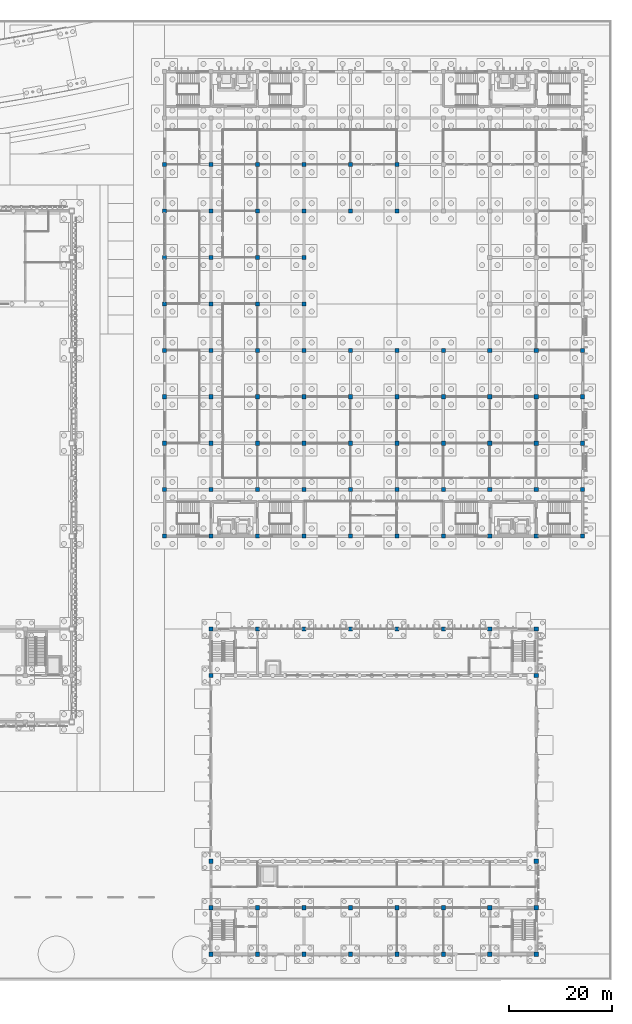
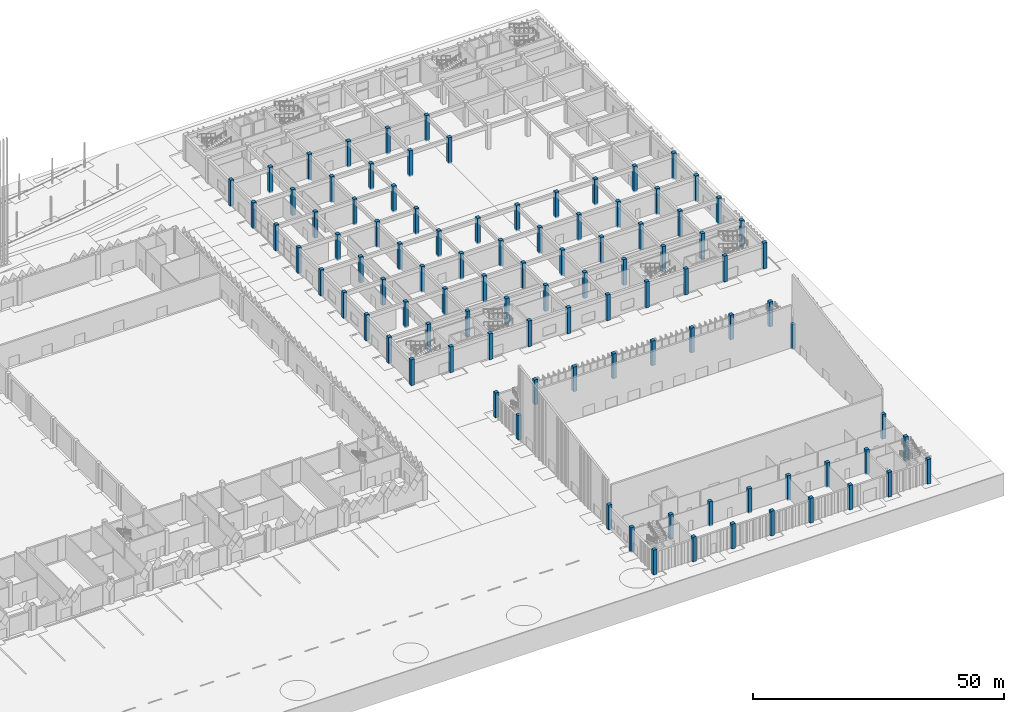
# One storey, part 32 of 198: 98 columns.
"""IFC4 building model written with IfcOpenShell, lengths in metres."""

from ifc_helpers import new_model, si_unit, direction, frame, origin, origin_2d, place, context, subcontext, project, spatial, rectangle, extrude, material, material_profile, profile_set, type_object, element, save


model = new_model("IFC4")

# Units and contexts
model_context = context("Model", 3, precision=1e-05, world=origin(), true_north=direction((0.0, 1.0)))
body_context = subcontext(model_context, "Body", "Model", "MODEL_VIEW")
ifc_project = project(units=[si_unit("LENGTHUNIT", "METRE"), si_unit("AREAUNIT", "SQUARE_METRE"), si_unit("VOLUMEUNIT", "CUBIC_METRE"), si_unit("PLANEANGLEUNIT", "RADIAN"), si_unit("MASSUNIT", "GRAM", prefix="KILO")], contexts=[model_context])

# Site, building, storey
site_placement = place(None, origin())
site = spatial("IfcSite", under=ifc_project, at=site_placement, CompositionType="ELEMENT")
building_placement = place(site_placement, origin())
building = spatial("IfcBuilding", under=site, at=building_placement, Name="Opaline Strait Convention Centre", CompositionType="ELEMENT")
storey_placement = place(building_placement, origin())
storey = spatial("IfcBuildingStorey", under=building, at=storey_placement, Name="L00", CompositionType="ELEMENT", Elevation=0.0)

# Columns
ifc_material = material(Name="Concrete C40", Category="concrete")
ifc_material_profile = material_profile(ifc_material, rectangle(XDim=0.800048828125, YDim=0.800048828125, at=origin_2d()), Name="RC 800x800")
ifc_profile_set = profile_set([ifc_material_profile], Name="Concrete C40")
column_type = type_object("IfcColumnType", Name="RC column 800x800 C40", PredefinedType="COLUMN", material=ifc_profile_set)
for number, where, z_axis, x_axis, name in (
    (1, (288.0, 9.0, -0.300048828125), (0.0, 0.0, 1.0), (1.0, 0.0, 0.0), "XC2 L00 at 33/B"),
    (2, (297.0, 9.0, -0.300048828125), (0.0, 0.0, 1.0), (1.0, 0.0, 0.0), "XC2 L00 at 34/B"),
    (3, (306.0, 9.0, -0.300048828125), (0.0, 0.0, 1.0), (1.0, 0.0, 0.0), "XC2 L00 at 35/B"),
    (4, (315.0, 9.0, -0.300048828125), (0.0, 0.0, 1.0), (1.0, 0.0, 0.0), "XC2 L00 at 36/B"),
    (5, (324.0, 9.0, -0.300048828125), (0.0, 0.0, 1.0), (1.0, 0.0, 0.0), "XC2 L00 at 37/B"),
    (6, (333.0, 9.0, -0.300048828125), (0.0, 0.0, 1.0), (1.0, 0.0, 0.0), "XC2 L00 at 38/B"),
    (7, (342.0, 9.0, -0.300048828125), (0.0, 0.0, 1.0), (1.0, 0.0, 0.0), "XC2 L00 at 39/B"),
    (8, (351.0, 9.0, -0.300048828125), (0.0, 0.0, 1.0), (1.0, 0.0, 0.0), "XC2 L00 at 40/B"),
    (9, (288.0, 18.0, -0.300048828125), (0.0, 0.0, 1.0), (1.0, 0.0, 0.0), "XC2 L00 at 33/C"),
    (10, (297.0, 18.0, -0.300048828125), (0.0, 0.0, 1.0), (1.0, 0.0, 0.0), "XC2 L00 at 34/C"),
    (11, (306.0, 18.0, -0.300048828125), (0.0, 0.0, 1.0), (1.0, 0.0, 0.0), "XC2 L00 at 35/C"),
    (12, (315.0, 18.0, -0.300048828125), (0.0, 0.0, 1.0), (1.0, 0.0, 0.0), "XC2 L00 at 36/C"),
    (13, (324.0, 18.0, -0.300048828125), (0.0, 0.0, 1.0), (1.0, 0.0, 0.0), "XC2 L00 at 37/C"),
    (14, (333.0, 18.0, -0.300048828125), (0.0, 0.0, 1.0), (1.0, 0.0, 0.0), "XC2 L00 at 38/C"),
    (15, (342.0, 18.0, -0.300048828125), (0.0, 0.0, 1.0), (1.0, 0.0, 0.0), "XC2 L00 at 39/C"),
    (16, (351.0, 18.0, -0.300048828125), (0.0, 0.0, 1.0), (1.0, 0.0, 0.0), "XC2 L00 at 40/C"),
    (17, (288.0, 27.0, -0.300048828125), (0.0, 0.0, 1.0), (1.0, 0.0, 0.0), "XC2 L00 at 33/D"),
    (18, (351.0, 27.0, -0.300048828125), (0.0, 0.0, 1.0), (1.0, 0.0, 0.0), "XC2 L00 at 40/D"),
    (19, (288.0, 63.0, -0.300048828125), (0.0, 0.0, 1.0), (1.0, 0.0, 0.0), "XC2 L00 at 33/H"),
    (20, (351.0, 63.0, -0.300048828125), (0.0, 0.0, 1.0), (1.0, 0.0, 0.0), "XC2 L00 at 40/H"),
    (21, (288.0, 72.0, -0.300048828125), (0.0, 0.0, 1.0), (1.0, 0.0, 0.0), "XC2 L00 at 33/J"),
    (22, (297.0, 72.0, -0.300048828125), (0.0, 0.0, 1.0), (1.0, 0.0, 0.0), "XC2 L00 at 34/J"),
    (23, (306.0, 72.0, -0.300048828125), (0.0, 0.0, 1.0), (1.0, 0.0, 0.0), "XC2 L00 at 35/J"),
    (24, (315.0, 72.0, -0.300048828125), (0.0, 0.0, 1.0), (1.0, 0.0, 0.0), "XC2 L00 at 36/J"),
    (25, (324.0, 72.0, -0.300048828125), (0.0, 0.0, 1.0), (1.0, 0.0, 0.0), "XC2 L00 at 37/J"),
    (26, (333.0, 72.0, -0.300048828125), (0.0, 0.0, 1.0), (1.0, 0.0, 0.0), "XC2 L00 at 38/J"),
    (27, (342.0, 72.0, -0.300048828125), (0.0, 0.0, 1.0), (1.0, 0.0, 0.0), "XC2 L00 at 39/J"),
    (28, (351.0, 72.0, -0.300048828125), (0.0, 0.0, 1.0), (1.0, 0.0, 0.0), "XC2 L00 at 40/J"),
):
    element("IfcColumn", number, at=place(storey_placement, frame(where, z_axis=z_axis, x_axis=x_axis)), inside=storey, type_object=column_type, Name=name, PredefinedType="COLUMN", context=body_context, shape_type="SweptSolid", body=[
        extrude(rectangle(XDim=0.800048828125, YDim=0.800048828125, at=origin_2d()), origin(), (0.0, 0.0, 1.0), 6.02001953125),
    ])
for number, where, z_axis, x_axis, name in (
    (29, (279.0, 90.0, -0.300048828125), (0.0, 0.0, 1.0), (1.0, 0.0, 0.0), "XC2 L00 at 32/L"),
    (30, (279.0, 99.0, -0.300048828125), (0.0, 0.0, 1.0), (1.0, 0.0, 0.0), "XC2 L00 at 32/M"),
    (31, (279.0, 108.0, -0.300048828125), (0.0, 0.0, 1.0), (1.0, 0.0, 0.0), "XC2 L00 at 32/N"),
    (32, (279.0, 117.0, -0.300048828125), (0.0, 0.0, 1.0), (1.0, 0.0, 0.0), "XC2 L00 at 32/P"),
    (33, (279.0, 126.0, -0.300048828125), (0.0, 0.0, 1.0), (1.0, 0.0, 0.0), "XC2 L00 at 32/Q"),
    (34, (279.0, 135.0, -0.300048828125), (0.0, 0.0, 1.0), (1.0, 0.0, 0.0), "XC2 L00 at 32/R"),
    (35, (279.0, 144.0, -0.300048828125), (0.0, 0.0, 1.0), (1.0, 0.0, 0.0), "XC2 L00 at 32/S"),
    (36, (279.0, 153.0, -0.300048828125), (0.0, 0.0, 1.0), (1.0, 0.0, 0.0), "XC2 L00 at 32/T"),
    (37, (279.0, 162.0, -0.300048828125), (0.0, 0.0, 1.0), (1.0, 0.0, 0.0), "XC2 L00 at 32/U"),
    (38, (288.0, 90.0, -0.300048828125), (0.0, 0.0, 1.0), (1.0, 0.0, 0.0), "XC2 L00 at 33/L"),
    (39, (288.0, 99.0, -0.300048828125), (0.0, 0.0, 1.0), (1.0, 0.0, 0.0), "XC2 L00 at 33/M"),
    (40, (288.0, 108.0, -0.300048828125), (0.0, 0.0, 1.0), (1.0, 0.0, 0.0), "XC2 L00 at 33/N"),
    (41, (288.0, 117.0, -0.300048828125), (0.0, 0.0, 1.0), (1.0, 0.0, 0.0), "XC2 L00 at 33/P"),
    (42, (288.0, 126.0, -0.300048828125), (0.0, 0.0, 1.0), (1.0, 0.0, 0.0), "XC2 L00 at 33/Q"),
    (43, (288.0, 135.0, -0.300048828125), (0.0, 0.0, 1.0), (1.0, 0.0, 0.0), "XC2 L00 at 33/R"),
    (44, (288.0, 144.0, -0.300048828125), (0.0, 0.0, 1.0), (1.0, 0.0, 0.0), "XC2 L00 at 33/S"),
    (45, (288.0, 153.0, -0.300048828125), (0.0, 0.0, 1.0), (1.0, 0.0, 0.0), "XC2 L00 at 33/T"),
    (46, (288.0, 162.0, -0.300048828125), (0.0, 0.0, 1.0), (1.0, 0.0, 0.0), "XC2 L00 at 33/U"),
    (47, (297.0, 90.0, -0.300048828125), (0.0, 0.0, 1.0), (1.0, 0.0, 0.0), "XC2 L00 at 34/L"),
    (48, (297.0, 99.0, -0.300048828125), (0.0, 0.0, 1.0), (1.0, 0.0, 0.0), "XC2 L00 at 34/M"),
    (49, (297.0, 108.0, -0.300048828125), (0.0, 0.0, 1.0), (1.0, 0.0, 0.0), "XC2 L00 at 34/N"),
    (50, (297.0, 117.0, -0.300048828125), (0.0, 0.0, 1.0), (1.0, 0.0, 0.0), "XC2 L00 at 34/P"),
    (51, (297.0, 126.0, -0.300048828125), (0.0, 0.0, 1.0), (1.0, 0.0, 0.0), "XC2 L00 at 34/Q"),
    (52, (297.0, 135.0, -0.300048828125), (0.0, 0.0, 1.0), (1.0, 0.0, 0.0), "XC2 L00 at 34/R"),
    (53, (297.0, 144.0, -0.300048828125), (0.0, 0.0, 1.0), (1.0, 0.0, 0.0), "XC2 L00 at 34/S"),
    (54, (297.0, 153.0, -0.300048828125), (0.0, 0.0, 1.0), (1.0, 0.0, 0.0), "XC2 L00 at 34/T"),
    (55, (297.0, 162.0, -0.300048828125), (0.0, 0.0, 1.0), (1.0, 0.0, 0.0), "XC2 L00 at 34/U"),
    (56, (306.0, 90.0, -0.300048828125), (0.0, 0.0, 1.0), (1.0, 0.0, 0.0), "XC2 L00 at 35/L"),
    (57, (306.0, 99.0, -0.300048828125), (0.0, 0.0, 1.0), (1.0, 0.0, 0.0), "XC2 L00 at 35/M"),
    (58, (306.0, 108.0, -0.300048828125), (0.0, 0.0, 1.0), (1.0, 0.0, 0.0), "XC2 L00 at 35/N"),
    (59, (306.0, 117.0, -0.300048828125), (0.0, 0.0, 1.0), (1.0, 0.0, 0.0), "XC2 L00 at 35/P"),
    (60, (306.0, 126.0, -0.300048828125), (0.0, 0.0, 1.0), (1.0, 0.0, 0.0), "XC2 L00 at 35/Q"),
    (61, (306.0, 135.0, -0.300048828125), (0.0, 0.0, 1.0), (1.0, 0.0, 0.0), "XC2 L00 at 35/R"),
    (62, (306.0, 144.0, -0.300048828125), (0.0, 0.0, 1.0), (1.0, 0.0, 0.0), "XC2 L00 at 35/S"),
    (63, (306.0, 153.0, -0.300048828125), (0.0, 0.0, 1.0), (1.0, 0.0, 0.0), "XC2 L00 at 35/T"),
    (64, (306.0, 162.0, -0.300048828125), (0.0, 0.0, 1.0), (1.0, 0.0, 0.0), "XC2 L00 at 35/U"),
    (65, (315.0, 90.0, -0.300048828125), (0.0, 0.0, 1.0), (1.0, 0.0, 0.0), "XC2 L00 at 36/L"),
    (66, (315.0, 99.0, -0.300048828125), (0.0, 0.0, 1.0), (1.0, 0.0, 0.0), "XC2 L00 at 36/M"),
    (67, (315.0, 108.0, -0.300048828125), (0.0, 0.0, 1.0), (1.0, 0.0, 0.0), "XC2 L00 at 36/N"),
    (68, (315.0, 117.0, -0.300048828125), (0.0, 0.0, 1.0), (1.0, 0.0, 0.0), "XC2 L00 at 36/P"),
    (69, (315.0, 126.0, -0.300048828125), (0.0, 0.0, 1.0), (1.0, 0.0, 0.0), "XC2 L00 at 36/Q"),
    (70, (315.0, 153.0, -0.300048828125), (0.0, 0.0, 1.0), (1.0, 0.0, 0.0), "XC2 L00 at 36/T"),
    (71, (315.0, 162.0, -0.300048828125), (0.0, 0.0, 1.0), (1.0, 0.0, 0.0), "XC2 L00 at 36/U"),
    (72, (324.0, 90.0, -0.300048828125), (0.0, 0.0, 1.0), (1.0, 0.0, 0.0), "XC2 L00 at 37/L"),
    (73, (324.0, 99.0, -0.300048828125), (0.0, 0.0, 1.0), (1.0, 0.0, 0.0), "XC2 L00 at 37/M"),
    (74, (324.0, 108.0, -0.300048828125), (0.0, 0.0, 1.0), (1.0, 0.0, 0.0), "XC2 L00 at 37/N"),
    (75, (324.0, 117.0, -0.300048828125), (0.0, 0.0, 1.0), (1.0, 0.0, 0.0), "XC2 L00 at 37/P"),
    (76, (324.0, 126.0, -0.300048828125), (0.0, 0.0, 1.0), (1.0, 0.0, 0.0), "XC2 L00 at 37/Q"),
    (77, (324.0, 153.0, -0.300048828125), (0.0, 0.0, 1.0), (1.0, 0.0, 0.0), "XC2 L00 at 37/T"),
    (78, (324.0, 162.0, -0.300048828125), (0.0, 0.0, 1.0), (1.0, 0.0, 0.0), "XC2 L00 at 37/U"),
    (79, (333.0, 90.0, -0.300048828125), (0.0, 0.0, 1.0), (1.0, 0.0, 0.0), "XC2 L00 at 38/L"),
    (80, (333.0, 99.0, -0.300048828125), (0.0, 0.0, 1.0), (1.0, 0.0, 0.0), "XC2 L00 at 38/M"),
    (81, (333.0, 108.0, -0.300048828125), (0.0, 0.0, 1.0), (1.0, 0.0, 0.0), "XC2 L00 at 38/N"),
    (82, (333.0, 117.0, -0.300048828125), (0.0, 0.0, 1.0), (1.0, 0.0, 0.0), "XC2 L00 at 38/P"),
    (83, (333.0, 126.0, -0.300048828125), (0.0, 0.0, 1.0), (1.0, 0.0, 0.0), "XC2 L00 at 38/Q"),
    (84, (342.0, 90.0, -0.300048828125), (0.0, 0.0, 1.0), (1.0, 0.0, 0.0), "XC2 L00 at 39/L"),
    (85, (342.0, 99.0, -0.300048828125), (0.0, 0.0, 1.0), (1.0, 0.0, 0.0), "XC2 L00 at 39/M"),
    (86, (342.0, 108.0, -0.300048828125), (0.0, 0.0, 1.0), (1.0, 0.0, 0.0), "XC2 L00 at 39/N"),
    (87, (342.0, 117.0, -0.300048828125), (0.0, 0.0, 1.0), (1.0, 0.0, 0.0), "XC2 L00 at 39/P"),
    (88, (342.0, 126.0, -0.300048828125), (0.0, 0.0, 1.0), (1.0, 0.0, 0.0), "XC2 L00 at 39/Q"),
    (89, (351.0, 90.0, -0.300048828125), (0.0, 0.0, 1.0), (1.0, 0.0, 0.0), "XC2 L00 at 40/L"),
    (90, (351.0, 99.0, -0.300048828125), (0.0, 0.0, 1.0), (1.0, 0.0, 0.0), "XC2 L00 at 40/M"),
    (91, (351.0, 108.0, -0.300048828125), (0.0, 0.0, 1.0), (1.0, 0.0, 0.0), "XC2 L00 at 40/N"),
    (92, (351.0, 117.0, -0.300048828125), (0.0, 0.0, 1.0), (1.0, 0.0, 0.0), "XC2 L00 at 40/P"),
    (93, (351.0, 126.0, -0.300048828125), (0.0, 0.0, 1.0), (1.0, 0.0, 0.0), "XC2 L00 at 40/Q"),
    (94, (360.0, 90.0, -0.300048828125), (0.0, 0.0, 1.0), (1.0, 0.0, 0.0), "XC2 L00 at 41/L"),
    (95, (360.0, 99.0, -0.300048828125), (0.0, 0.0, 1.0), (1.0, 0.0, 0.0), "XC2 L00 at 41/M"),
    (96, (360.0, 108.0, -0.300048828125), (0.0, 0.0, 1.0), (1.0, 0.0, 0.0), "XC2 L00 at 41/N"),
    (97, (360.0, 117.0, -0.300048828125), (0.0, 0.0, 1.0), (1.0, 0.0, 0.0), "XC2 L00 at 41/P"),
    (98, (360.0, 126.0, -0.300048828125), (0.0, 0.0, 1.0), (1.0, 0.0, 0.0), "XC2 L00 at 41/Q"),
):
    element("IfcColumn", number, at=place(storey_placement, frame(where, z_axis=z_axis, x_axis=x_axis)), inside=storey, type_object=column_type, Name=name, PredefinedType="COLUMN", context=body_context, shape_type="SweptSolid", body=[
        extrude(rectangle(XDim=0.800048828125, YDim=0.800048828125, at=origin_2d()), origin(), (0.0, 0.0, 1.0), 6.300048828125),
    ])

save(model, "model.ifc")
